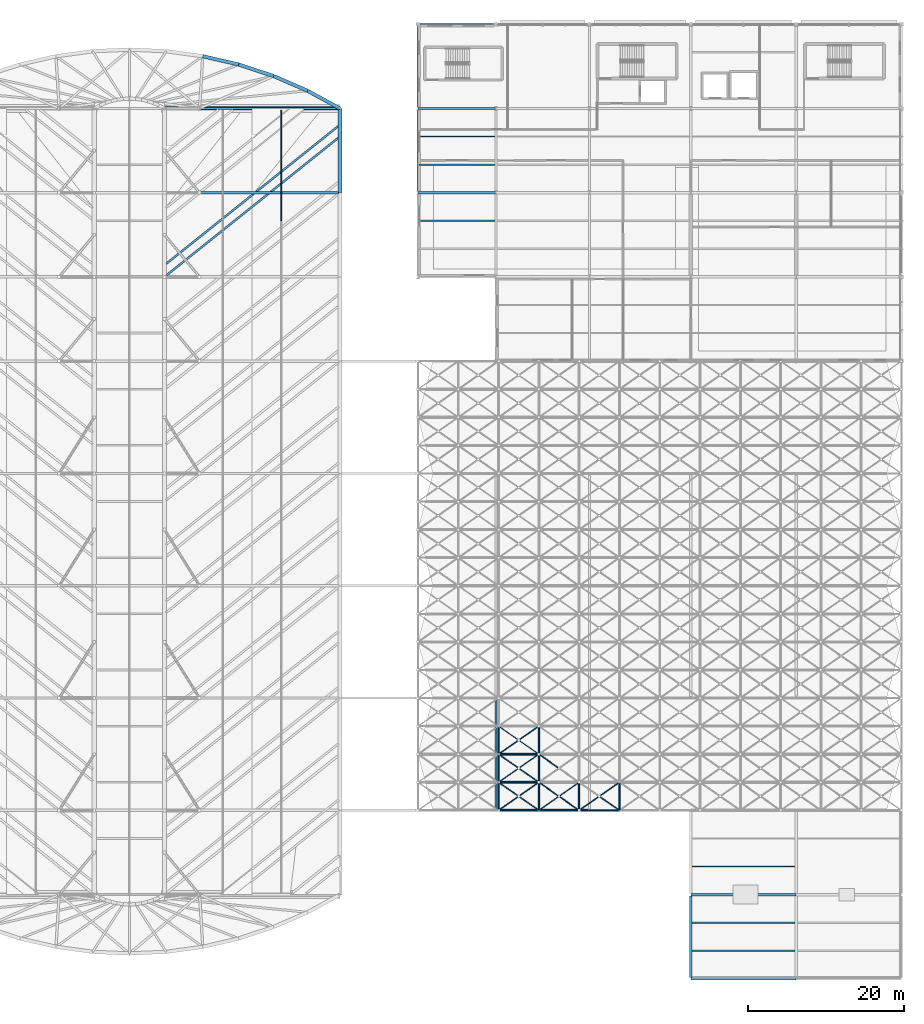
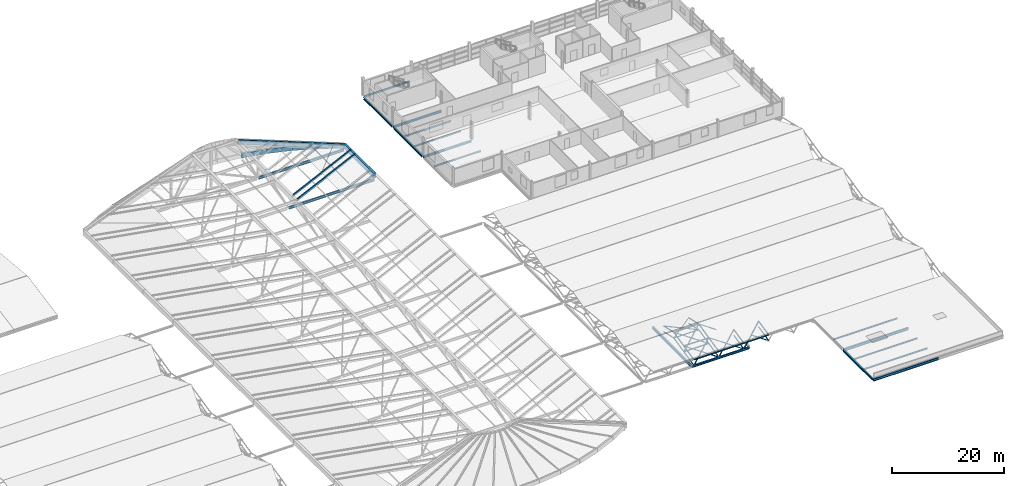
# One storey, part 34 of 110: 40 members, 26 beams.
"""IFC4 building model written with IfcOpenShell, lengths in metres."""

from ifc_helpers import new_model, si_unit, direction, frame, origin, origin_2d, place, context, subcontext, project, spatial, hollow_rectangle, hollow_circle, i_section, extrude, material, material_profile, profile_set, type_object, element, save


model = new_model("IFC4")

# Units and contexts
model_context = context("Model", 3, precision=1e-05, world=origin(), true_north=direction((0.0, 1.0)))
body_context = subcontext(model_context, "Body", "Model", "MODEL_VIEW")
ifc_project = project(units=[si_unit("LENGTHUNIT", "METRE"), si_unit("AREAUNIT", "SQUARE_METRE"), si_unit("VOLUMEUNIT", "CUBIC_METRE"), si_unit("PLANEANGLEUNIT", "RADIAN"), si_unit("MASSUNIT", "GRAM", prefix="KILO")], contexts=[model_context])

# Site, building, storey
site_placement = place(None, origin())
site = spatial("IfcSite", under=ifc_project, at=site_placement, CompositionType="ELEMENT")
building_placement = place(site_placement, origin())
building = spatial("IfcBuilding", under=site, at=building_placement, Name="Tamarisk Ironworks Central Station", CompositionType="ELEMENT")
storey_placement = place(building_placement, frame((0.0, 0.0, 17.39990234375)))
storey = spatial("IfcBuildingStorey", under=building, at=storey_placement, Name="L03", CompositionType="ELEMENT", Elevation=17.39990234375)

# Beams
ifc_material_1 = material(Name="Structural steel S355J2", Category="steel")
ifc_material_profile_1 = material_profile(ifc_material_1, i_section(OverallWidth=0.169921875, OverallDepth=0.360107421875, WebThickness=0.008056640625, FlangeThickness=0.0126953125, at=origin_2d()), Name="IPE 360")
ifc_profile_set_1 = profile_set([ifc_material_profile_1], Name="Structural steel S355J2")
beam_type_1 = type_object("IfcBeamType", Name="BM-B05", PredefinedType="BEAM", material=ifc_profile_set_1)
for number, where, z_axis, x_axis, name in (
    (1, (118.135009765625, 97.199951171875, -0.429931640625), (1.0, 0.0, 0.0), (0.0, 1.0, 0.0), "L03 secondary composite beam 0198"),
    (2, (118.135009765625, 104.39990234375, -0.429931640625), (1.0, 0.0, 0.0), (0.0, 1.0, 0.0), "L03 secondary composite beam 0199"),
    (3, (118.135009765625, 108.0, -0.429931640625), (1.0, 0.0, 0.0), (0.0, 1.0, 0.0), "L03 secondary composite beam 0200"),
):
    element("IfcBeam", number, at=place(storey_placement, frame(where, z_axis=z_axis, x_axis=x_axis)), inside=storey, type_object=beam_type_1, Name=name, PredefinedType="BEAM", context=body_context, shape_type="SweptSolid", body=[
        extrude(i_section(OverallWidth=0.169921875, OverallDepth=0.360107421875, WebThickness=0.008056640625, FlangeThickness=0.0126953125, at=origin_2d()), origin(), (0.0, 0.0, 1.0), 9.72998046875),
    ])
ifc_material_profile_2 = material_profile(ifc_material_1, i_section(OverallWidth=0.159912109375, OverallDepth=0.330078125, WebThickness=0.007568359375, FlangeThickness=0.011474609375, at=origin_2d()), Name="IPE 330")
ifc_profile_set_2 = profile_set([ifc_material_profile_2], Name="Structural steel S355J2")
beam_type_2 = type_object("IfcBeamType", Name="BM-B06", PredefinedType="BEAM", material=ifc_profile_set_2)
for number, where, z_axis, x_axis, name in (
    (4, (153.135009765625, 3.60009765625, -0.324951171875), (1.0, 0.0, 0.0), (0.0, 1.0, 0.0), "L03 secondary composite beam 0226"),
    (5, (153.135009765625, 7.199951171875, -0.324951171875), (1.0, 0.0, 0.0), (0.0, 1.0, 0.0), "L03 secondary composite beam 0227"),
    (6, (153.135009765625, 14.39990234375, -0.324951171875), (1.0, 0.0, 0.0), (0.0, 1.0, 0.0), "L03 secondary composite beam 0228"),
):
    element("IfcBeam", number, at=place(storey_placement, frame(where, z_axis=z_axis, x_axis=x_axis)), inside=storey, type_object=beam_type_2, Name=name, PredefinedType="BEAM", context=body_context, shape_type="SweptSolid", body=[
        extrude(i_section(OverallWidth=0.159912109375, OverallDepth=0.330078125, WebThickness=0.007568359375, FlangeThickness=0.011474609375, at=origin_2d()), origin(), (0.0, 0.0, 1.0), 13.22998046875),
    ])
ifc_material_2 = material(Name="Painted structural steel S355J2", Category="steel")
ifc_material_profile_3 = material_profile(ifc_material_2, hollow_rectangle(XDim=0.5, YDim=1.0, WallThickness=0.02197265625, at=origin_2d()), Name="BOX 500x1000x22")
ifc_profile_set_3 = profile_set([ifc_material_profile_3], Name="Painted structural steel S355J2")
beam_type_3 = type_object("IfcBeamType", Name="BM-EG01", PredefinedType="USERDEFINED", material=ifc_profile_set_3)
beam_1_placement = place(storey_placement, frame((108.0, 100.800048828125, -1.099853515625), z_axis=(0.0, 1.0, 0.0), x_axis=(-1.0, 0.0, 0.0)))
element("IfcBeam", 7, at=beam_1_placement, inside=storey, type_object=beam_type_3, Name="Concourse straight white eave girder E-016", ObjectType="TRANSFER GIRDER", PredefinedType="USERDEFINED", context=body_context, shape_type="SweptSolid", body=[
    extrude(hollow_rectangle(XDim=0.5, YDim=1.0, WallThickness=0.02197265625, at=origin_2d()), origin(), (0.0, 0.0, 1.0), 10.800048828125),
])
ifc_material_profile_4 = material_profile(ifc_material_2, hollow_rectangle(XDim=0.25, YDim=0.449951171875, WallThickness=0.01611328125, at=origin_2d()), Name="RHS 450x250x16")
ifc_profile_set_4 = profile_set([ifc_material_profile_4], Name="Painted structural steel S355J2")
beam_type_4 = type_object("IfcBeamType", Name="BM-FR02", PredefinedType="USERDEFINED", material=ifc_profile_set_4)
beam_2_placement = place(storey_placement, frame((85.75, 90.199951171875, 7.897216796875), z_axis=(0.746812720906, 0.597456799313, -0.292089254932), x_axis=(-0.624699269839, 0.780865431597, 0.0)))
element("IfcBeam", 8, at=beam_2_placement, inside=storey, type_object=beam_type_4, Name="Concourse paired 45-degree white fishbone roof rib 0166", ObjectType="FISHBONE ROOF RIB", PredefinedType="USERDEFINED", context=body_context, shape_type="SweptSolid", body=[
    extrude(hollow_rectangle(XDim=0.25, YDim=0.449951171875, WallThickness=0.01611328125, at=origin_2d()), origin(), (0.0, 0.0, 1.0), 29.491943359375),
])
ifc_material_profile_5 = material_profile(ifc_material_2, hollow_rectangle(XDim=0.25, YDim=0.39990234375, WallThickness=0.01611328125, at=origin_2d()), Name="RHS 400x250x16")
ifc_profile_set_5 = profile_set([ifc_material_profile_5], Name="Painted structural steel S355J2")
beam_type_5 = type_object("IfcBeamType", Name="BM-FR03", PredefinedType="USERDEFINED", material=ifc_profile_set_5)
beam_3_placement = place(storey_placement, frame((85.75, 91.699951171875, 7.9208984375), z_axis=(0.746814526668, 0.597458243939, -0.292081682936), x_axis=(-0.624699269839, 0.780865431597, 0.0)))
element("IfcBeam", 9, at=beam_3_placement, inside=storey, type_object=beam_type_5, Name="Concourse paired 45-degree white fishbone roof rib 0168", ObjectType="FISHBONE ROOF RIB", PredefinedType="USERDEFINED", context=body_context, shape_type="SweptSolid", body=[
    extrude(hollow_rectangle(XDim=0.25, YDim=0.39990234375, WallThickness=0.01611328125, at=origin_2d()), origin(), (0.0, 0.0, 1.0), 29.49169921875),
])
ifc_material_profile_6 = material_profile(ifc_material_1, i_section(OverallWidth=0.300048828125, OverallDepth=0.5400390625, WebThickness=0.012451171875, FlangeThickness=0.02392578125, at=origin_2d()), Name="HEA 550")
ifc_profile_set_6 = profile_set([ifc_material_profile_6], Name="Structural steel S355J2")
beam_type_6 = type_object("IfcBeamType", Name="BM-G04", PredefinedType="BEAM", material=ifc_profile_set_6)
beam_4_placement = place(storey_placement, frame((128.0, 21.837890625, -1.869873046875), z_axis=(0.0, 1.0, 0.0), x_axis=(-1.0, 0.0, 0.0)))
element("IfcBeam", 10, at=beam_4_placement, inside=storey, type_object=beam_type_6, Name="L03 primary girder Y-0610", PredefinedType="BEAM", context=body_context, shape_type="SweptSolid", body=[
    extrude(i_section(OverallWidth=0.300048828125, OverallDepth=0.5400390625, WebThickness=0.012451171875, FlangeThickness=0.02392578125, at=origin_2d()), origin(), (0.0, 0.0, 1.0), 13.970947265625),
])
for number, where, z_axis, x_axis, name in (
    (11, (153.00390625, 0.0, -0.429931640625), (1.0, 0.0, 0.0), (0.0, 1.0, 0.0), "L03 primary girder X-0622"),
    (12, (153.00390625, 10.800048828125, -0.429931640625), (1.0, 0.0, 0.0), (0.0, 1.0, 0.0), "L03 primary girder X-0624"),
):
    element("IfcBeam", number, at=place(storey_placement, frame(where, z_axis=z_axis, x_axis=x_axis)), inside=storey, type_object=beam_type_6, Name=name, PredefinedType="BEAM", context=body_context, shape_type="SweptSolid", body=[
        extrude(i_section(OverallWidth=0.300048828125, OverallDepth=0.5400390625, WebThickness=0.012451171875, FlangeThickness=0.02392578125, at=origin_2d()), origin(), (0.0, 0.0, 1.0), 13.4921875),
    ])
for number, where, z_axis, x_axis, name in (
    (13, (90.139892578125, 100.800048828125, -1.869873046875), (1.0, 0.0, 0.0), (0.0, 1.0, 0.0), "Concourse roof portal tie girder 040"),
    (14, (90.139892578125, 111.60009765625, -1.869873046875), (1.0, 0.0, 0.0), (0.0, 1.0, 0.0), "Concourse roof portal tie girder 043"),
):
    element("IfcBeam", number, at=place(storey_placement, frame(where, z_axis=z_axis, x_axis=x_axis)), inside=storey, type_object=beam_type_6, Name=name, PredefinedType="BEAM", context=body_context, shape_type="SweptSolid", body=[
        extrude(i_section(OverallWidth=0.300048828125, OverallDepth=0.5400390625, WebThickness=0.012451171875, FlangeThickness=0.02392578125, at=origin_2d()), origin(), (0.0, 0.0, 1.0), 17.72021484375),
    ])
ifc_material_profile_7 = material_profile(ifc_material_1, i_section(OverallWidth=0.300048828125, OverallDepth=0.43994140625, WebThickness=0.011474609375, FlangeThickness=0.02099609375, at=origin_2d()), Name="HEA 450")
ifc_profile_set_7 = profile_set([ifc_material_profile_7], Name="Structural steel S355J2")
beam_type_7 = type_object("IfcBeamType", Name="BM-G06", PredefinedType="BEAM", material=ifc_profile_set_7)
beam_5_placement = place(storey_placement, frame((128.00390625, 21.60009765625, -1.81982421875), z_axis=(1.0, 0.0, 0.0), x_axis=(0.0, 1.0, 0.0)))
element("IfcBeam", 15, at=beam_5_placement, inside=storey, type_object=beam_type_7, Name="L03 primary girder X-0546", PredefinedType="BEAM", context=body_context, shape_type="SweptSolid", body=[
    extrude(i_section(OverallWidth=0.300048828125, OverallDepth=0.43994140625, WebThickness=0.011474609375, FlangeThickness=0.02099609375, at=origin_2d()), origin(), (0.0, 0.0, 1.0), 11.80810546875),
])
for number, where, z_axis, x_axis, name in (
    (16, (118.00390625, 100.800048828125, -0.469970703125), (1.0, 0.0, 0.0), (0.0, 1.0, 0.0), "L03 primary girder X-0644"),
    (17, (118.00390625, 111.60009765625, -0.469970703125), (1.0, 0.0, 0.0), (0.0, 1.0, 0.0), "L03 primary girder X-0653"),
):
    element("IfcBeam", number, at=place(storey_placement, frame(where, z_axis=z_axis, x_axis=x_axis)), inside=storey, type_object=beam_type_7, Name=name, PredefinedType="BEAM", context=body_context, shape_type="SweptSolid", body=[
        extrude(i_section(OverallWidth=0.300048828125, OverallDepth=0.43994140625, WebThickness=0.011474609375, FlangeThickness=0.02099609375, at=origin_2d()), origin(), (0.0, 0.0, 1.0), 9.9921875),
    ])
beam_6_placement = place(storey_placement, frame((118.0, 101.06298828125, -0.469970703125), z_axis=(0.0, 1.0, 0.0), x_axis=(-1.0, 0.0, 0.0)))
element("IfcBeam", 18, at=beam_6_placement, inside=storey, type_object=beam_type_7, Name="L03 primary girder Y-0681", PredefinedType="BEAM", context=body_context, shape_type="SweptSolid", body=[
    extrude(i_section(OverallWidth=0.300048828125, OverallDepth=0.43994140625, WebThickness=0.011474609375, FlangeThickness=0.02099609375, at=origin_2d()), origin(), (0.0, 0.0, 1.0), 10.27392578125),
])
beam_7_placement = place(storey_placement, frame((118.0, 111.863037109375, -0.469970703125), z_axis=(0.0, 1.0, 0.0), x_axis=(-1.0, 0.0, 0.0)))
element("IfcBeam", 19, at=beam_7_placement, inside=storey, type_object=beam_type_7, Name="L03 primary girder Y-0682", PredefinedType="BEAM", context=body_context, shape_type="SweptSolid", body=[
    extrude(i_section(OverallWidth=0.300048828125, OverallDepth=0.43994140625, WebThickness=0.011474609375, FlangeThickness=0.02099609375, at=origin_2d()), origin(), (0.0, 0.0, 1.0), 10.2490234375),
])
beam_8_placement = place(storey_placement, frame((153.0, 0.16796875, -0.3798828125), z_axis=(0.0, 1.0, 0.0), x_axis=(-1.0, 0.0, 0.0)))
element("IfcBeam", 20, at=beam_8_placement, inside=storey, type_object=beam_type_7, Name="L03 primary girder Y-0690", PredefinedType="BEAM", context=body_context, shape_type="SweptSolid", body=[
    extrude(i_section(OverallWidth=0.300048828125, OverallDepth=0.43994140625, WebThickness=0.011474609375, FlangeThickness=0.02099609375, at=origin_2d()), origin(), (0.0, 0.0, 1.0), 10.464111328125),
])
ifc_material_profile_8 = material_profile(ifc_material_2, hollow_rectangle(XDim=0.449951171875, YDim=0.89990234375, WallThickness=0.02001953125, at=origin_2d()), Name="BOX 450x900x20")
ifc_profile_set_8 = profile_set([ifc_material_profile_8], Name="Painted structural steel S355J2")
beam_type_8 = type_object("IfcBeamType", Name="BM-RG01", PredefinedType="USERDEFINED", material=ifc_profile_set_8)
beam_9_placement = place(storey_placement, frame((85.75, 111.60009765625, 7.622314453125), z_axis=(0.931302777386, 0.0, -0.364245983963), x_axis=(0.0, 1.0, 0.0)))
element("IfcBeam", 21, at=beam_9_placement, inside=storey, type_object=beam_type_8, Name="Concourse trunk portal raking girder 112", ObjectType="TRANSFER GIRDER", PredefinedType="USERDEFINED", context=body_context, shape_type="SweptSolid", body=[
    extrude(hollow_rectangle(XDim=0.449951171875, YDim=0.89990234375, WallThickness=0.02001953125, at=origin_2d()), origin(), (0.0, 0.0, 1.0), 23.649658203125),
])
for number, where, z_axis, x_axis, name in (
    (22, (90.410888671875, 118.30029296875, -1.079833984375), (0.974241353201, -0.225507839583, 0.0), (0.225507839583, 0.974241353201, 0.0), "NORTH rounded nose outer ring beam 09"),
    (23, (95.01904296875, 117.233642578125, -1.079833984375), (0.94972076983, -0.313098162488, 0.0), (0.313098162488, 0.94972076983, 0.0), "NORTH rounded nose outer ring beam 10"),
    (24, (99.51123046875, 115.752685546875, -1.079833984375), (0.91733327399, -0.398120163307, 0.0), (0.398120163307, 0.91733327399, 0.0), "NORTH rounded nose outer ring beam 11"),
    (25, (103.85009765625, 113.86962890625, -1.079833984375), (0.87736638631, -0.479821033483, 0.0), (0.479821033483, 0.87736638631, 0.0), "NORTH rounded nose outer ring beam 12"),
):
    element("IfcBeam", number, at=place(storey_placement, frame(where, z_axis=z_axis, x_axis=x_axis)), inside=storey, type_object=beam_type_8, Name=name, ObjectType="TRANSFER GIRDER", PredefinedType="USERDEFINED", context=body_context, shape_type="SweptSolid", body=[
        extrude(hollow_rectangle(XDim=0.449951171875, YDim=0.89990234375, WallThickness=0.02001953125, at=origin_2d()), origin(), (0.0, 0.0, 1.0), 4.72998046875),
    ])
ifc_material_profile_9 = material_profile(ifc_material_1, hollow_rectangle(XDim=0.199951171875, YDim=0.35009765625, WallThickness=0.012451171875, at=origin_2d()), Name="RHS 350x200x12.5")
ifc_profile_set_9 = profile_set([ifc_material_profile_9], Name="Structural steel S355J2")
beam_type_9 = type_object("IfcBeamType", Name="BM-SP01", PredefinedType="SPANDREL", material=ifc_profile_set_9)
beam_10_placement = place(storey_placement, frame((118.2880859375, 122.39990234375, -0.4248046875), z_axis=(1.0, 0.0, 0.0), x_axis=(0.0, 1.0, 0.0)))
element("IfcBeam", 26, at=beam_10_placement, inside=storey, type_object=beam_type_9, Name="L03 primary girder X-0662", PredefinedType="SPANDREL", context=body_context, shape_type="SweptSolid", body=[
    extrude(hollow_rectangle(XDim=0.199951171875, YDim=0.35009765625, WallThickness=0.012451171875, at=origin_2d()), origin(), (0.0, 0.0, 1.0), 9.423828125),
])

# Members
ifc_material_profile_10 = material_profile(ifc_material_2, hollow_rectangle(XDim=0.1201171875, YDim=0.219970703125, WallThickness=0.008056640625, at=origin_2d()), Name="RHS 220x120x8")
ifc_profile_set_10 = profile_set([ifc_material_profile_10], Name="Painted structural steel S355J2")
member_type_1 = type_object("IfcMemberType", Name="MB-PR01", PredefinedType="PURLIN", material=ifc_profile_set_10)
member_1_placement = place(storey_placement, frame((100.5, 97.199951171875, 2.0693359375), z_axis=(0.0, 1.0, 0.0), x_axis=(-1.0, 0.0, 0.0)))
element("IfcMember", 27, at=member_1_placement, inside=storey, type_object=member_type_1, Name="Concourse roof glazing purlin 0069", PredefinedType="PURLIN", context=body_context, shape_type="SweptSolid", body=[
    extrude(hollow_rectangle(XDim=0.1201171875, YDim=0.219970703125, WallThickness=0.008056640625, at=origin_2d()), origin(), (0.0, 0.0, 1.0), 7.199951171875),
])
member_2_placement = place(storey_placement, frame((100.5, 104.39990234375, 2.0693359375), z_axis=(0.0, 1.0, 0.0), x_axis=(-1.0, 0.0, 0.0)))
element("IfcMember", 28, at=member_2_placement, inside=storey, type_object=member_type_1, Name="Concourse roof glazing purlin 0070", PredefinedType="PURLIN", context=body_context, shape_type="SweptSolid", body=[
    extrude(hollow_rectangle(XDim=0.1201171875, YDim=0.219970703125, WallThickness=0.008056640625, at=origin_2d()), origin(), (0.0, 0.0, 1.0), 7.0),
])
ifc_material_3 = material(Name="Structural steel S355J2H", Category="steel")
ifc_material_profile_11 = material_profile(ifc_material_3, hollow_circle(Radius=0.136474609375, WallThickness=0.012451171875, at=origin_2d()), Name="CHS 273x12.5")
ifc_profile_set_11 = profile_set([ifc_material_profile_11], Name="Structural steel S355J2H")
member_type_2 = type_object("IfcMemberType", Name="MB-SFC01", PredefinedType="CHORD", material=ifc_profile_set_11)
for number, where, z_axis, x_axis, name in (
    (29, (128.333251953125, 21.60009765625, -0.469970703125), (1.0, 0.0, 0.0), (0.0, 1.0, 0.0), "Train shed space-frame top chord 1053"),
    (30, (133.5, 21.60009765625, -0.469970703125), (1.0, 0.0, 0.0), (0.0, 1.0, 0.0), "Train shed space-frame top chord 1054"),
):
    element("IfcMember", number, at=place(storey_placement, frame(where, z_axis=z_axis, x_axis=x_axis)), inside=storey, type_object=member_type_2, Name=name, PredefinedType="CHORD", context=body_context, shape_type="SweptSolid", body=[
        extrude(hollow_circle(Radius=0.136474609375, WallThickness=0.012451171875, at=origin_2d()), origin(), (0.0, 0.0, 1.0), 5.166748046875),
    ])
member_3_placement = place(storey_placement, frame((138.666748046875, 21.60009765625, -0.469970703125), z_axis=(1.0, 0.0, 0.0), x_axis=(0.0, 1.0, 0.0)))
element("IfcMember", 31, at=member_3_placement, inside=storey, type_object=member_type_2, Name="Train shed space-frame top chord 1055", PredefinedType="CHORD", context=body_context, shape_type="SweptSolid", body=[
    extrude(hollow_circle(Radius=0.136474609375, WallThickness=0.012451171875, at=origin_2d()), origin(), (0.0, 0.0, 1.0), 5.16650390625),
])
for number, where, z_axis, x_axis, name in (
    (32, (128.333251953125, 25.199951171875, 0.35498046875), (1.0, 0.0, 0.0), (0.0, 1.0, 0.0), "Train shed space-frame top chord 1065"),
    (33, (128.333251953125, 28.800048828125, 1.18017578125), (1.0, 0.0, 0.0), (0.0, 1.0, 0.0), "Train shed space-frame top chord 1077"),
):
    element("IfcMember", number, at=place(storey_placement, frame(where, z_axis=z_axis, x_axis=x_axis)), inside=storey, type_object=member_type_2, Name=name, PredefinedType="CHORD", context=body_context, shape_type="SweptSolid", body=[
        extrude(hollow_circle(Radius=0.136474609375, WallThickness=0.012451171875, at=origin_2d()), origin(), (0.0, 0.0, 1.0), 5.166748046875),
    ])
ifc_material_profile_12 = material_profile(ifc_material_3, hollow_circle(Radius=0.122314453125, WallThickness=0.012451171875, at=origin_2d()), Name="CHS 244.5x12.5")
ifc_profile_set_12 = profile_set([ifc_material_profile_12], Name="Structural steel S355J2H")
member_type_3 = type_object("IfcMemberType", Name="MB-SFC02", PredefinedType="CHORD", material=ifc_profile_set_12)
for number, where, z_axis, x_axis, name in (
    (34, (128.333251953125, 25.199951171875, -0.89501953125), (1.0, 0.0, 0.0), (0.0, 1.0, 0.0), "Train shed space-frame bottom chord 0965"),
    (35, (128.333251953125, 28.800048828125, -0.06982421875), (1.0, 0.0, 0.0), (0.0, 1.0, 0.0), "Train shed space-frame bottom chord 0977"),
):
    element("IfcMember", number, at=place(storey_placement, frame(where, z_axis=z_axis, x_axis=x_axis)), inside=storey, type_object=member_type_3, Name=name, PredefinedType="CHORD", context=body_context, shape_type="SweptSolid", body=[
        extrude(hollow_circle(Radius=0.122314453125, WallThickness=0.012451171875, at=origin_2d()), origin(), (0.0, 0.0, 1.0), 5.166748046875),
    ])
member_4_placement = place(storey_placement, frame((128.333251953125, 21.60009765625, -0.469970703125), z_axis=(0.0, 0.974733218107, 0.223372230857), x_axis=(-1.0, 0.0, 0.0)))
element("IfcMember", 36, at=member_4_placement, inside=storey, type_object=member_type_3, Name="Train shed space-frame top transverse chord 1119", PredefinedType="CHORD", context=body_context, shape_type="SweptSolid", body=[
    extrude(hollow_circle(Radius=0.122314453125, WallThickness=0.012451171875, at=origin_2d()), origin(), (0.0, 0.0, 1.0), 3.693115234375),
])
member_5_placement = place(storey_placement, frame((128.333251953125, 25.199951171875, 0.35498046875), z_axis=(0.0, 0.974722123001, 0.223420641241), x_axis=(-1.0, 0.0, 0.0)))
element("IfcMember", 37, at=member_5_placement, inside=storey, type_object=member_type_3, Name="Train shed space-frame top transverse chord 1120", PredefinedType="CHORD", context=body_context, shape_type="SweptSolid", body=[
    extrude(hollow_circle(Radius=0.122314453125, WallThickness=0.012451171875, at=origin_2d()), origin(), (0.0, 0.0, 1.0), 3.693359375),
])
for number, where, z_axis, x_axis, name in (
    (38, (128.333251953125, 28.800048828125, 1.18017578125), (0.0, 0.974718823144, -0.223435037113), (-1.0, 0.0, 0.0), "Train shed space-frame top transverse chord 1121"),
    (39, (133.5, 21.60009765625, -0.469970703125), (0.0, 0.974733218107, 0.223372230857), (-1.0, 0.0, 0.0), "Train shed space-frame top transverse chord 1123"),
):
    element("IfcMember", number, at=place(storey_placement, frame(where, z_axis=z_axis, x_axis=x_axis)), inside=storey, type_object=member_type_3, Name=name, PredefinedType="CHORD", context=body_context, shape_type="SweptSolid", body=[
        extrude(hollow_circle(Radius=0.122314453125, WallThickness=0.012451171875, at=origin_2d()), origin(), (0.0, 0.0, 1.0), 3.693115234375),
    ])
member_6_placement = place(storey_placement, frame((133.5, 25.199951171875, 0.35498046875), z_axis=(0.0, 0.974722123001, 0.223420641241), x_axis=(-1.0, 0.0, 0.0)))
element("IfcMember", 40, at=member_6_placement, inside=storey, type_object=member_type_3, Name="Train shed space-frame top transverse chord 1124", PredefinedType="CHORD", context=body_context, shape_type="SweptSolid", body=[
    extrude(hollow_circle(Radius=0.122314453125, WallThickness=0.012451171875, at=origin_2d()), origin(), (0.0, 0.0, 1.0), 3.693359375),
])
for number, where, z_axis, x_axis, name in (
    (41, (133.5, 28.800048828125, 1.18017578125), (0.0, 0.974718823144, -0.223435037113), (-1.0, 0.0, 0.0), "Train shed space-frame top transverse chord 1125"),
    (42, (138.666748046875, 21.60009765625, -0.469970703125), (0.0, 0.974733218107, 0.223372230857), (-1.0, 0.0, 0.0), "Train shed space-frame top transverse chord 1127"),
    (43, (143.833251953125, 21.60009765625, -0.469970703125), (0.0, 0.974733218107, 0.223372230857), (-1.0, 0.0, 0.0), "Train shed space-frame top transverse chord 1131"),
):
    element("IfcMember", number, at=place(storey_placement, frame(where, z_axis=z_axis, x_axis=x_axis)), inside=storey, type_object=member_type_3, Name=name, PredefinedType="CHORD", context=body_context, shape_type="SweptSolid", body=[
        extrude(hollow_circle(Radius=0.122314453125, WallThickness=0.012451171875, at=origin_2d()), origin(), (0.0, 0.0, 1.0), 3.693115234375),
    ])
ifc_material_profile_13 = material_profile(ifc_material_3, hollow_circle(Radius=0.109619140625, WallThickness=0.010009765625, at=origin_2d()), Name="CHS 219.1x10")
ifc_profile_set_13 = profile_set([ifc_material_profile_13], Name="Structural steel S355J2H")
member_type_4 = type_object("IfcMemberType", Name="MB-SFC03", PredefinedType="CHORD", material=ifc_profile_set_13)
member_7_placement = place(storey_placement, frame((128.333251953125, 21.60009765625, -1.719970703125), z_axis=(0.0, 0.974733218107, 0.223372230857), x_axis=(-1.0, 0.0, 0.0)))
element("IfcMember", 44, at=member_7_placement, inside=storey, type_object=member_type_4, Name="Train shed space-frame transverse chord 1007", PredefinedType="CHORD", context=body_context, shape_type="SweptSolid", body=[
    extrude(hollow_circle(Radius=0.109619140625, WallThickness=0.010009765625, at=origin_2d()), origin(), (0.0, 0.0, 1.0), 3.693115234375),
])
member_8_placement = place(storey_placement, frame((128.333251953125, 25.199951171875, -0.89501953125), z_axis=(0.0, 0.974722123001, 0.223420641241), x_axis=(-1.0, 0.0, 0.0)))
element("IfcMember", 45, at=member_8_placement, inside=storey, type_object=member_type_4, Name="Train shed space-frame transverse chord 1008", PredefinedType="CHORD", context=body_context, shape_type="SweptSolid", body=[
    extrude(hollow_circle(Radius=0.109619140625, WallThickness=0.010009765625, at=origin_2d()), origin(), (0.0, 0.0, 1.0), 3.693359375),
])
for number, where, z_axis, x_axis, name in (
    (46, (128.333251953125, 28.800048828125, -0.06982421875), (0.0, 0.974718823144, -0.223435037113), (-1.0, 0.0, 0.0), "Train shed space-frame transverse chord 1009"),
    (47, (133.5, 21.60009765625, -1.719970703125), (0.0, 0.974733218107, 0.223372230857), (-1.0, 0.0, 0.0), "Train shed space-frame transverse chord 1011"),
):
    element("IfcMember", number, at=place(storey_placement, frame(where, z_axis=z_axis, x_axis=x_axis)), inside=storey, type_object=member_type_4, Name=name, PredefinedType="CHORD", context=body_context, shape_type="SweptSolid", body=[
        extrude(hollow_circle(Radius=0.109619140625, WallThickness=0.010009765625, at=origin_2d()), origin(), (0.0, 0.0, 1.0), 3.693115234375),
    ])
member_9_placement = place(storey_placement, frame((133.5, 25.199951171875, -0.89501953125), z_axis=(0.0, 0.974722123001, 0.223420641241), x_axis=(-1.0, 0.0, 0.0)))
element("IfcMember", 48, at=member_9_placement, inside=storey, type_object=member_type_4, Name="Train shed space-frame transverse chord 1012", PredefinedType="CHORD", context=body_context, shape_type="SweptSolid", body=[
    extrude(hollow_circle(Radius=0.109619140625, WallThickness=0.010009765625, at=origin_2d()), origin(), (0.0, 0.0, 1.0), 3.693359375),
])
for number, where, z_axis, x_axis, name in (
    (49, (133.5, 28.800048828125, -0.06982421875), (0.0, 0.974718823144, -0.223435037113), (-1.0, 0.0, 0.0), "Train shed space-frame transverse chord 1013"),
    (50, (138.666748046875, 21.60009765625, -1.719970703125), (0.0, 0.974733218107, 0.223372230857), (-1.0, 0.0, 0.0), "Train shed space-frame transverse chord 1015"),
    (51, (143.833251953125, 21.60009765625, -1.719970703125), (0.0, 0.974733218107, 0.223372230857), (-1.0, 0.0, 0.0), "Train shed space-frame transverse chord 1019"),
):
    element("IfcMember", number, at=place(storey_placement, frame(where, z_axis=z_axis, x_axis=x_axis)), inside=storey, type_object=member_type_4, Name=name, PredefinedType="CHORD", context=body_context, shape_type="SweptSolid", body=[
        extrude(hollow_circle(Radius=0.109619140625, WallThickness=0.010009765625, at=origin_2d()), origin(), (0.0, 0.0, 1.0), 3.693115234375),
    ])
ifc_material_profile_14 = material_profile(ifc_material_3, hollow_circle(Radius=0.084228515625, WallThickness=0.010009765625, at=origin_2d()), Name="CHS 168.3x10")
ifc_profile_set_14 = profile_set([ifc_material_profile_14], Name="Structural steel S355J2H")
member_type_5 = type_object("IfcMemberType", Name="MB-SFD01", PredefinedType="BRACE", material=ifc_profile_set_14)
member_10_placement = place(storey_placement, frame((128.333251953125, 21.60009765625, -1.719970703125), z_axis=(0.779273944842, 0.542947328672, 0.312954177442), x_axis=(-0.57166297408, 0.820488539875, 0.0)))
element("IfcMember", 52, at=member_10_placement, inside=storey, type_object=member_type_5, Name="Train shed space-frame diagonal 1179", PredefinedType="BRACE", context=body_context, shape_type="SweptSolid", body=[
    extrude(hollow_circle(Radius=0.084228515625, WallThickness=0.010009765625, at=origin_2d()), origin(), (0.0, 0.0, 1.0), 6.630126953125),
])
member_11_placement = place(storey_placement, frame((128.333251953125, 28.800048828125, -0.06982421875), z_axis=(0.818627942589, 0.570366631076, 0.06730674385), x_axis=(-0.57166297408, 0.820488539875, 0.0)))
element("IfcMember", 53, at=member_11_placement, inside=storey, type_object=member_type_5, Name="Train shed space-frame diagonal 1183", PredefinedType="BRACE", context=body_context, shape_type="SweptSolid", body=[
    extrude(hollow_circle(Radius=0.084228515625, WallThickness=0.010009765625, at=origin_2d()), origin(), (0.0, 0.0, 1.0), 6.3115234375),
])
member_12_placement = place(storey_placement, frame((138.666748046875, 21.60009765625, -1.719970703125), z_axis=(0.779259482852, 0.542962908735, 0.312963157772), x_axis=(-0.571681159291, 0.820475869305, 0.0)))
element("IfcMember", 54, at=member_12_placement, inside=storey, type_object=member_type_5, Name="Train shed space-frame diagonal 1195", PredefinedType="BRACE", context=body_context, shape_type="SweptSolid", body=[
    extrude(hollow_circle(Radius=0.084228515625, WallThickness=0.010009765625, at=origin_2d()), origin(), (0.0, 0.0, 1.0), 6.630126953125),
])
ifc_material_profile_15 = material_profile(ifc_material_3, hollow_circle(Radius=0.06982421875, WallThickness=0.008056640625, at=origin_2d()), Name="CHS 139.7x8")
ifc_profile_set_15 = profile_set([ifc_material_profile_15], Name="Structural steel S355J2H")
member_type_6 = type_object("IfcMemberType", Name="MB-SFD02", PredefinedType="BRACE", material=ifc_profile_set_15)
member_13_placement = place(storey_placement, frame((128.333251953125, 25.199951171875, -0.89501953125), z_axis=(0.779249385031, 0.542967038306, 0.312981135603), x_axis=(-0.571689073201, 0.82047035509, 0.0)))
element("IfcMember", 55, at=member_13_placement, inside=storey, type_object=member_type_6, Name="Train shed space-frame diagonal 1181", PredefinedType="BRACE", context=body_context, shape_type="SweptSolid", body=[
    extrude(hollow_circle(Radius=0.06982421875, WallThickness=0.008056640625, at=origin_2d()), origin(), (0.0, 0.0, 1.0), 6.63037109375),
])
member_14_placement = place(storey_placement, frame((133.5, 21.60009765625, -1.719970703125), z_axis=(0.779273944842, 0.542947328672, 0.312954177442), x_axis=(-0.57166297408, 0.820488539875, 0.0)))
element("IfcMember", 56, at=member_14_placement, inside=storey, type_object=member_type_6, Name="Train shed space-frame diagonal 1187", PredefinedType="BRACE", context=body_context, shape_type="SweptSolid", body=[
    extrude(hollow_circle(Radius=0.06982421875, WallThickness=0.008056640625, at=origin_2d()), origin(), (0.0, 0.0, 1.0), 6.630126953125),
])
ifc_material_profile_16 = material_profile(ifc_material_3, hollow_circle(Radius=0.05712890625, WallThickness=0.00634765625, at=origin_2d()), Name="CHS 114.3x6.3")
ifc_profile_set_16 = profile_set([ifc_material_profile_16], Name="Structural steel S355J2H")
member_type_7 = type_object("IfcMemberType", Name="MB-SFD03", PredefinedType="BRACE", material=ifc_profile_set_16)
for number, where, z_axis, x_axis, name in (
    (57, (133.5, 21.60009765625, -1.719970703125), (-0.779251958926, 0.542967486998, 0.312973948712), (-0.571688120068, -0.820471019216, 0.0), "Train shed space-frame split counter-diagonal lower 1180"),
    (58, (130.873779296875, 23.429931640625, -0.665283203125), (-0.779281371438, 0.542935800781, 0.31295568434), (-0.571651135352, -0.820496788203, 0.0), "Train shed space-frame split counter-diagonal upper 1180"),
    (59, (133.5, 25.199951171875, -0.89501953125), (-0.779202006797, 0.5430075686, 0.313028773514), (-0.571741198525, -0.820434032637, 0.0), "Train shed space-frame split counter-diagonal lower 1182"),
):
    element("IfcMember", number, at=place(storey_placement, frame(where, z_axis=z_axis, x_axis=x_axis)), inside=storey, type_object=member_type_7, Name=name, PredefinedType="BRACE", context=body_context, shape_type="SweptSolid", body=[
        extrude(hollow_circle(Radius=0.05712890625, WallThickness=0.00634765625, at=origin_2d()), origin(), (0.0, 0.0, 1.0), 3.260009765625),
    ])
member_15_placement = place(storey_placement, frame((130.873779296875, 27.02978515625, 0.159912109375), z_axis=(-0.779249686219, 0.542988609915, 0.312942959707), x_axis=(-0.571704213709, -0.820459805248, 0.0)))
element("IfcMember", 60, at=member_15_placement, inside=storey, type_object=member_type_7, Name="Train shed space-frame split counter-diagonal upper 1182", PredefinedType="BRACE", context=body_context, shape_type="SweptSolid", body=[
    extrude(hollow_circle(Radius=0.05712890625, WallThickness=0.00634765625, at=origin_2d()), origin(), (0.0, 0.0, 1.0), 3.26025390625),
])
for number, where, z_axis, x_axis, name in (
    (61, (133.5, 28.800048828125, -0.06982421875), (-0.81862545828, 0.570368646704, 0.067319877544), (-0.571665501983, -0.820486778591, 0.0), "Train shed space-frame split counter-diagonal lower 1184"),
    (62, (130.87158203125, 30.63134765625, 0.146240234375), (-0.81862545828, 0.570368646704, 0.067319877544), (-0.571665501983, -0.820486778591, 0.0), "Train shed space-frame split counter-diagonal upper 1184"),
):
    element("IfcMember", number, at=place(storey_placement, frame(where, z_axis=z_axis, x_axis=x_axis)), inside=storey, type_object=member_type_7, Name=name, PredefinedType="BRACE", context=body_context, shape_type="SweptSolid", body=[
        extrude(hollow_circle(Radius=0.05712890625, WallThickness=0.00634765625, at=origin_2d()), origin(), (0.0, 0.0, 1.0), 3.100830078125),
    ])
for number, where, z_axis, x_axis, name in (
    (63, (138.666748046875, 21.60009765625, -1.719970703125), (-0.779281371438, 0.542935800781, 0.31295568434), (-0.571651135352, -0.820496788203, 0.0), "Train shed space-frame split counter-diagonal lower 1188"),
    (64, (136.040283203125, 23.429931640625, -0.665283203125), (-0.779251958926, 0.542967486998, 0.312973948712), (-0.571688120068, -0.820471019216, 0.0), "Train shed space-frame split counter-diagonal upper 1188"),
    (65, (136.040283203125, 27.02978515625, 0.159912109375), (-0.779220271205, 0.543020296637, 0.312961221852), (-0.571741198525, -0.820434032637, 0.0), "Train shed space-frame split counter-diagonal upper 1190"),
    (66, (143.833251953125, 21.60009765625, -1.719970703125), (-0.779251958926, 0.542967486998, 0.312973948712), (-0.571688120068, -0.820471019216, 0.0), "Train shed space-frame split counter-diagonal lower 1196"),
):
    element("IfcMember", number, at=place(storey_placement, frame(where, z_axis=z_axis, x_axis=x_axis)), inside=storey, type_object=member_type_7, Name=name, PredefinedType="BRACE", context=body_context, shape_type="SweptSolid", body=[
        extrude(hollow_circle(Radius=0.05712890625, WallThickness=0.00634765625, at=origin_2d()), origin(), (0.0, 0.0, 1.0), 3.260009765625),
    ])

save(model, "model.ifc")
